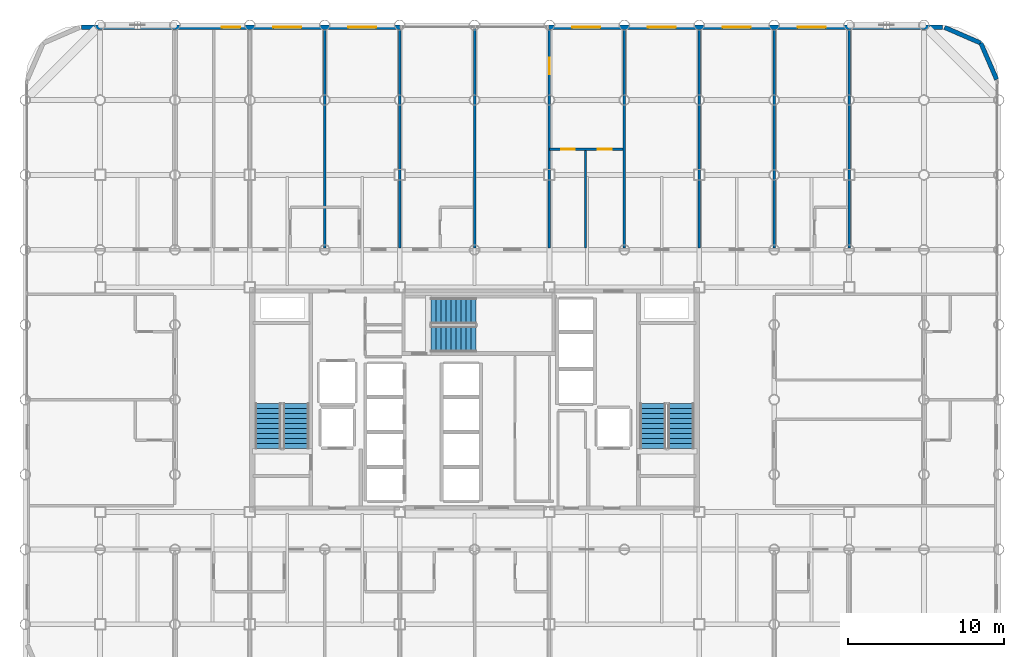
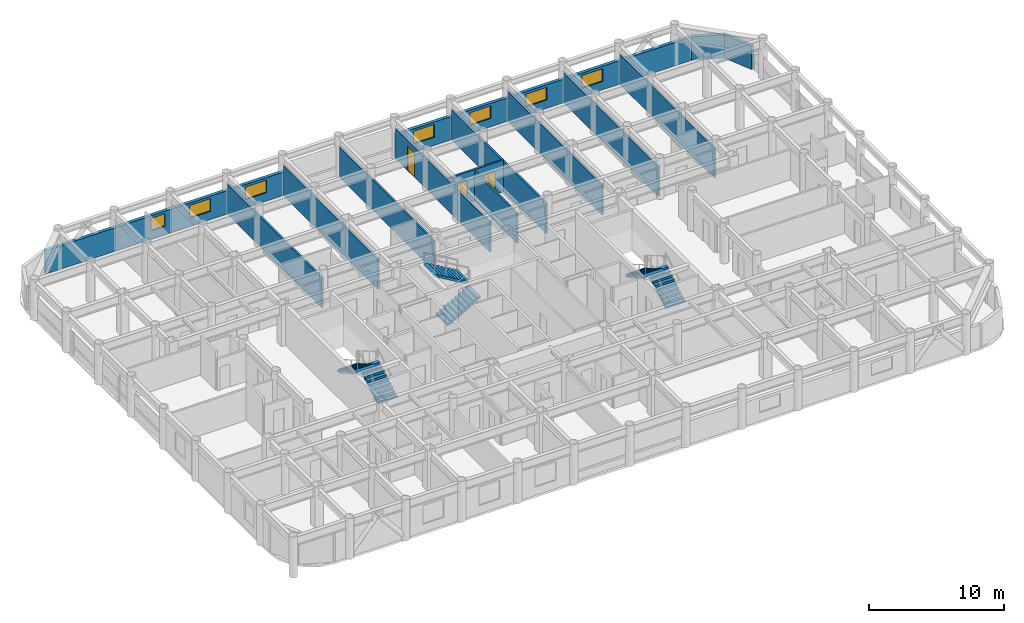
# One storey, part 21 of 22: 14 walls, 7 windows, 6 stair flights, 3 doors, 10 openings, 3 elements without a shape of their own.
"""IFC4 building model written with IfcOpenShell, lengths in metres."""

from ifc_helpers import new_model, si_unit, direction, frame, frame_2d, origin, place, context, subcontext, project, spatial, polyline, rectangle, outline, extrude, material, layer, layer_set, type_object, element, fill, aggregate, save


model = new_model("IFC4")

# Units and contexts
model_context = context("Model", 3, precision=1e-05, world=origin(), true_north=direction((0.0, 1.0)))
body_context = subcontext(model_context, "Body", "Model", "MODEL_VIEW")
ifc_project = project(units=[si_unit("LENGTHUNIT", "METRE"), si_unit("AREAUNIT", "SQUARE_METRE"), si_unit("VOLUMEUNIT", "CUBIC_METRE"), si_unit("PLANEANGLEUNIT", "RADIAN"), si_unit("MASSUNIT", "GRAM", prefix="KILO")], contexts=[model_context])

# Site, building, storey
site_placement = place(None, origin())
site = spatial("IfcSite", under=ifc_project, at=site_placement, CompositionType="ELEMENT")
building_placement = place(site_placement, origin())
building = spatial("IfcBuilding", under=site, at=building_placement, Name="Kallvorn Hotel Tower", CompositionType="ELEMENT")
storey_placement = place(building_placement, frame((0.0, 0.0, 110.0)))
storey = spatial("IfcBuildingStorey", under=building, at=storey_placement, Name="L26", CompositionType="ELEMENT", Elevation=110.0)

# Wall, openings, doors
ifc_material_1 = material(Name="Fire-rated double-layer acoustic gypsum drywall EI 60")
ifc_layer_1 = layer(ifc_material_1, 0.159912109375)
ifc_layer_set_1 = layer_set([ifc_layer_1], Name="WL_DEMISE_160")
wall_type_1 = type_object("IfcWallType", Name="WL_DEMISE_160", PredefinedType="PARTITIONING", material=ifc_layer_set_1)
wall_1_placement = place(storey_placement, frame((4.800048828125, 16.050048828125, 0.0), z_axis=(0.0, 0.0, 1.0), x_axis=(1.0, 0.0, 0.0)))
wall_1 = element("IfcWall", 1, at=wall_1_placement, inside=storey, type_object=wall_type_1, Name="L26 Suite 2614 Junior Bedroom Partition", PredefinedType="PARTITIONING", context=body_context, shape_type="SweptSolid", body=[
    extrude(rectangle(XDim=4.719970703125, YDim=0.159912109375, at=frame_2d((2.35986328125, 0.0))), origin(), (0.0, 0.0, 1.0), 2.8701171875),
])
opening_1_placement = place(wall_1_placement, frame((0.75, 0.0, 0.0)))
opening_1 = element("IfcOpeningElement", 2, at=opening_1_placement, cuts=wall_1, Name="Opening BD-I", PredefinedType="OPENING", context=body_context, shape_type="SweptSolid", body=[
    extrude(rectangle(XDim=0.860107421875, YDim=2.10009765625, at=frame_2d((0.43017578125, 1.050048828125))), frame((0.0, 0.094970703125, 0.0), z_axis=(0.0, -1.0, 0.0), x_axis=(1.0, 0.0, 0.0)), (0.0, 0.0, 1.0), 0.18994140625),
])
opening_2_placement = place(wall_1_placement, frame((3.090087890625, 0.0, 0.0)))
opening_2 = element("IfcOpeningElement", 3, at=opening_2_placement, cuts=wall_1, Name="Opening SVD1", PredefinedType="OPENING", context=body_context, shape_type="SweptSolid", body=[
    extrude(rectangle(XDim=0.89990234375, YDim=2.10009765625, at=frame_2d((0.449951171875, 1.050048828125))), frame((0.0, 0.094970703125, 0.0), z_axis=(0.0, -1.0, 0.0), x_axis=(1.0, 0.0, 0.0)), (0.0, 0.0, 1.0), 0.18994140625),
])
ifc_material_2 = material(Name="Solid-core walnut veneer fire-rated timber door leaf", Category="wood")
door_type_1 = type_object("IfcDoorType", Name="DR_BATH_860x2100", OperationType="NOTDEFINED", PredefinedType="DOOR", material=ifc_material_2)
door_1_placement = place(opening_1_placement, origin())
door_1 = element("IfcDoor", 4, at=door_1_placement, inside=storey, type_object=door_type_1, Name="L26 Suite 2614 En-Suite Bathroom Door", OperationType="SINGLE_SWING_RIGHT", OverallHeight=2.10009765625, OverallWidth=0.860107421875, PredefinedType="DOOR", context=body_context, shape_type="SweptSolid", body=[
    extrude(rectangle(XDim=0.860107421875, YDim=2.10009765625, at=frame_2d((0.43017578125, 1.050048828125))), frame((0.0, 0.02490234375, 0.0), z_axis=(0.0, -1.0, 0.0), x_axis=(1.0, 0.0, 0.0)), (0.0, 0.0, 1.0), 0.050048828125),
])
fill(opening_1, door_1)
ifc_material_3 = material(Name="Galvanised painted steel fire-rated door assembly", Category="steel")
door_type_2 = type_object("IfcDoorType", Name="DR_SERV_900x2100", OperationType="NOTDEFINED", PredefinedType="DOOR", material=ifc_material_3)
door_2_placement = place(opening_2_placement, origin())
door_2 = element("IfcDoor", 5, at=door_2_placement, inside=storey, type_object=door_type_2, Name="L26 Suite 2614 Walk-In Dressing Closet Door", OperationType="SINGLE_SWING_LEFT", OverallHeight=2.10009765625, OverallWidth=0.89990234375, PredefinedType="DOOR", context=body_context, shape_type="SweptSolid", body=[
    extrude(rectangle(XDim=0.89990234375, YDim=2.10009765625, at=frame_2d((0.449951171875, 1.050048828125))), frame((0.0, 0.02490234375, 0.0), z_axis=(0.0, -1.0, 0.0), x_axis=(1.0, 0.0, 0.0)), (0.0, 0.0, 1.0), 0.050048828125),
])
fill(opening_2, door_2)

# Walls
for number, where, z_axis, x_axis, name in (
    (6, (-9.60009765625, 9.719970703125, 0.0), (0.0, 0.0, 1.0), (0.0, 1.0, 0.0), "L26 Suite 2611 Standard Twin Room Partition"),
    (7, (-4.800048828125, 9.719970703125, 0.0), (0.0, 0.0, 1.0), (0.0, 1.0, 0.0), "L26 Suite 2612 Standard Twin Room Partition"),
):
    element("IfcWall", number, at=place(storey_placement, frame(where, z_axis=z_axis, x_axis=x_axis)), inside=storey, type_object=wall_type_1, Name=name, PredefinedType="PARTITIONING", context=body_context, shape_type="SweptSolid", body=[
        extrude(rectangle(XDim=13.989990234375, YDim=0.159912109375, at=frame_2d((6.9951171875, 0.0))), origin(), (0.0, 0.0, 1.0), 2.719970703125),
    ])
wall_2_placement = place(storey_placement, frame((0.0, 9.719970703125, 0.0), z_axis=(0.0, 0.0, 1.0), x_axis=(0.0, 1.0, 0.0)))
element("IfcWall", 8, at=wall_2_placement, inside=storey, type_object=wall_type_1, Name="L26 Suite 2614 Junior Living Salon Partition", PredefinedType="PARTITIONING", context=body_context, shape_type="SweptSolid", body=[
    extrude(rectangle(XDim=14.074951171875, YDim=0.159912109375, at=frame_2d((7.03759765625, 0.0))), origin(), (0.0, 0.0, 1.0), 2.719970703125),
])

# Wall, opening, door
wall_3_placement = place(storey_placement, frame((4.800048828125, 9.719970703125, 0.0), z_axis=(0.0, 0.0, 1.0), x_axis=(0.0, 1.0, 0.0)))
wall_3 = element("IfcWall", 9, at=wall_3_placement, inside=storey, type_object=wall_type_1, Name="L26 Suite 2614 Junior Living Salon Partition", PredefinedType="PARTITIONING", context=body_context, shape_type="SweptSolid", body=[
    extrude(rectangle(XDim=13.989990234375, YDim=0.159912109375, at=frame_2d((6.9951171875, 0.0))), origin(), (0.0, 0.0, 1.0), 2.719970703125),
])
opening_3_placement = place(wall_3_placement, frame((11.136962890625, 0.0, 0.0)))
opening_3 = element("IfcOpeningElement", 10, at=opening_3_placement, cuts=wall_3, Name="Opening GD2", PredefinedType="OPENING", context=body_context, shape_type="SweptSolid", body=[
    extrude(rectangle(XDim=1.050048828125, YDim=2.199951171875, at=frame_2d((0.52490234375, 1.10009765625))), frame((0.0, 0.094970703125, 0.0), z_axis=(0.0, -1.0, 0.0), x_axis=(1.0, 0.0, 0.0)), (0.0, 0.0, 1.0), 0.18994140625),
])
ifc_material_4 = material(Name="Solid-core walnut veneer fire-rated timber door leaf", Category="wood")
door_type_3 = type_object("IfcDoorType", Name="DR_SUITE_1050x2200", OperationType="NOTDEFINED", PredefinedType="DOOR", material=ifc_material_4)
door_3_placement = place(opening_3_placement, origin())
door_3 = element("IfcDoor", 11, at=door_3_placement, inside=storey, type_object=door_type_3, Name="L26 Suite 2614 Junior Bedroom Door", OperationType="SINGLE_SWING_RIGHT", OverallHeight=2.199951171875, OverallWidth=1.050048828125, PredefinedType="DOOR", context=body_context, shape_type="SweptSolid", body=[
    extrude(rectangle(XDim=1.050048828125, YDim=2.199951171875, at=frame_2d((0.52490234375, 1.10009765625))), frame((0.0, 0.02490234375, 0.0), z_axis=(0.0, -1.0, 0.0), x_axis=(1.0, 0.0, 0.0)), (0.0, 0.0, 1.0), 0.050048828125),
])
fill(opening_3, door_3)

# Walls
for number, where, z_axis, x_axis, name in (
    (12, (9.60009765625, 9.719970703125, 0.0), (0.0, 0.0, 1.0), (0.0, 1.0, 0.0), "L26 Suite 2614 Junior Bedroom Partition"),
    (13, (19.199951171875, 9.719970703125, 0.0), (0.0, 0.0, 1.0), (0.0, 1.0, 0.0), "L26 Suite 2615 Standard Twin Room Partition"),
    (14, (24.0, 9.719970703125, 0.0), (0.0, 0.0, 1.0), (0.0, 1.0, 0.0), "L26 Suite 2615 Standard Twin Room Partition"),
):
    element("IfcWall", number, at=place(storey_placement, frame(where, z_axis=z_axis, x_axis=x_axis)), inside=storey, type_object=wall_type_1, Name=name, PredefinedType="PARTITIONING", context=body_context, shape_type="SweptSolid", body=[
        extrude(rectangle(XDim=13.989990234375, YDim=0.159912109375, at=frame_2d((6.9951171875, 0.0))), origin(), (0.0, 0.0, 1.0), 2.719970703125),
    ])
ifc_material_5 = material(Name="Precast basalt-clad insulated concrete wall C40/50", Category="masonry")
ifc_layer_2 = layer(ifc_material_5, 0.280029296875)
ifc_layer_set_2 = layer_set([ifc_layer_2], Name="WL_EXT_LOGGIA_280")
wall_type_2 = type_object("IfcWallType", Name="WL_EXT_LOGGIA_280", PredefinedType="SOLIDWALL", material=ifc_layer_set_2)
wall_4_placement = place(storey_placement, frame((33.4580078125, 20.520751953125, 0.0), z_axis=(0.0, 0.0, 1.0), x_axis=(-0.398792985289, 0.917040977756, 0.0)))
element("IfcWall", 15, at=wall_4_placement, inside=storey, type_object=wall_type_2, Name="L26 Rounded Corner Exterior Wall NE1", PredefinedType="SOLIDWALL", context=body_context, shape_type="SweptSolid", body=[
    extrude(rectangle(XDim=2.536376953125, YDim=0.280029296875, at=frame_2d((1.26806640625, 0.0))), origin(), (0.0, 0.0, 1.0), 2.1201171875),
])
wall_5_placement = place(storey_placement, frame((32.446533203125, 22.8466796875, 0.0), z_axis=(0.0, 0.0, 1.0), x_axis=(-0.917060872934, 0.398747232384, 0.0)))
element("IfcWall", 16, at=wall_5_placement, inside=storey, type_object=wall_type_2, Name="L26 Rounded Corner Exterior Wall NE2", PredefinedType="SOLIDWALL", context=body_context, shape_type="SweptSolid", body=[
    extrude(rectangle(XDim=2.5361328125, YDim=0.280029296875, at=frame_2d((1.26806640625, 0.0))), origin(), (0.0, 0.0, 1.0), 2.1201171875),
])

# Wall, openings, windows
wall_6_placement = place(storey_placement, frame((-25.199951171875, 23.860107421875, 0.0), z_axis=(0.0, 0.0, 1.0), x_axis=(1.0, 0.0, 0.0)))
wall_6 = element("IfcWall", 17, at=wall_6_placement, inside=storey, type_object=wall_type_2, Name="L26 Exterior Envelope Wall EW-L26-NW", PredefinedType="SOLIDWALL", context=body_context, shape_type="SweptSolid", body=[
    extrude(rectangle(XDim=20.449951171875, YDim=0.280029296875, at=frame_2d((10.22509765625, 0.0))), origin(), (0.0, 0.0, 1.0), 2.1201171875),
])
opening_4_placement = place(wall_6_placement, frame((9.0, 0.0, 0.75)))
opening_4 = element("IfcOpeningElement", 18, at=opening_4_placement, cuts=wall_6, Name="Opening W06A", PredefinedType="OPENING", context=body_context, shape_type="SweptSolid", body=[
    extrude(rectangle(XDim=1.199951171875, YDim=1.14990234375, at=frame_2d((0.60009765625, 0.574951171875))), frame((0.0, 0.155029296875, 0.0), z_axis=(0.0, -1.0, 0.0), x_axis=(1.0, 0.0, 0.0)), (0.0, 0.0, 1.0), 0.31005859375),
])
opening_5_placement = place(wall_6_placement, frame((12.300048828125, 0.0, 0.75)))
opening_5 = element("IfcOpeningElement", 19, at=opening_5_placement, cuts=wall_6, Name="Opening W04A", PredefinedType="OPENING", context=body_context, shape_type="SweptSolid", body=[
    extrude(rectangle(XDim=1.800048828125, YDim=1.14990234375, at=frame_2d((0.89990234375, 0.574951171875))), frame((0.0, 0.155029296875, 0.0), z_axis=(0.0, -1.0, 0.0), x_axis=(1.0, 0.0, 0.0)), (0.0, 0.0, 1.0), 0.31005859375),
])
opening_6_placement = place(wall_6_placement, frame((17.10009765625, 0.0, 0.75)))
opening_6 = element("IfcOpeningElement", 20, at=opening_6_placement, cuts=wall_6, Name="Opening W04A", PredefinedType="OPENING", context=body_context, shape_type="SweptSolid", body=[
    extrude(rectangle(XDim=1.800048828125, YDim=1.14990234375, at=frame_2d((0.89990234375, 0.574951171875))), frame((0.0, 0.155029296875, 0.0), z_axis=(0.0, -1.0, 0.0), x_axis=(1.0, 0.0, 0.0)), (0.0, 0.0, 1.0), 0.31005859375),
])
ifc_material_6 = material(Name="Triple-glazed low-e acoustic solar-control dark glass", Category="glass")
window_type_1 = type_object("IfcWindowType", Name="WN_HTL_1200x1150", PartitioningType="SINGLE_PANEL", PredefinedType="WINDOW", material=ifc_material_6)
window_1_placement = place(opening_4_placement, origin())
window_1 = element("IfcWindow", 21, at=window_1_placement, inside=storey, type_object=window_type_1, Name="L26 Guestroom Exterior Window 10", OverallHeight=1.14990234375, OverallWidth=1.199951171875, PartitioningType="SINGLE_PANEL", PredefinedType="WINDOW", context=body_context, shape_type="SweptSolid", body=[
    extrude(rectangle(XDim=1.199951171875, YDim=1.14990234375, at=frame_2d((0.60009765625, 0.574951171875))), frame((0.0, 0.030029296875, 0.0), z_axis=(0.0, -1.0, 0.0), x_axis=(1.0, 0.0, 0.0)), (0.0, 0.0, 1.0), 0.06005859375),
])
fill(opening_4, window_1)
ifc_material_7 = material(Name="Double-glazed low-e solar-control dark glass", Category="glass")
window_type_2 = type_object("IfcWindowType", Name="WN_HTL_1800x1150", PartitioningType="SINGLE_PANEL", PredefinedType="WINDOW", material=ifc_material_7)
window_2_placement = place(opening_5_placement, origin())
window_2 = element("IfcWindow", 22, at=window_2_placement, inside=storey, type_object=window_type_2, Name="L26 Guestroom Exterior Window 11", OverallHeight=1.14990234375, OverallWidth=1.800048828125, PartitioningType="SINGLE_PANEL", PredefinedType="WINDOW", context=body_context, shape_type="SweptSolid", body=[
    extrude(rectangle(XDim=1.800048828125, YDim=1.14990234375, at=frame_2d((0.89990234375, 0.574951171875))), frame((0.0, 0.030029296875, 0.0), z_axis=(0.0, -1.0, 0.0), x_axis=(1.0, 0.0, 0.0)), (0.0, 0.0, 1.0), 0.06005859375),
])
fill(opening_5, window_2)
window_3_placement = place(opening_6_placement, origin())
window_3 = element("IfcWindow", 23, at=window_3_placement, inside=storey, type_object=window_type_2, Name="L26 Guestroom Exterior Window 12", OverallHeight=1.14990234375, OverallWidth=1.800048828125, PartitioningType="SINGLE_PANEL", PredefinedType="WINDOW", context=body_context, shape_type="SweptSolid", body=[
    extrude(rectangle(XDim=1.800048828125, YDim=1.14990234375, at=frame_2d((0.89990234375, 0.574951171875))), frame((0.0, 0.030029296875, 0.0), z_axis=(0.0, -1.0, 0.0), x_axis=(1.0, 0.0, 0.0)), (0.0, 0.0, 1.0), 0.06005859375),
])
fill(opening_6, window_3)

wall_7_placement = place(storey_placement, frame((4.75, 23.860107421875, 0.0), z_axis=(0.0, 0.0, 1.0), x_axis=(1.0, 0.0, 0.0)))
wall_7 = element("IfcWall", 24, at=wall_7_placement, inside=storey, type_object=wall_type_2, Name="L26 Exterior Envelope Wall EW-L26-NE", PredefinedType="SOLIDWALL", context=body_context, shape_type="SweptSolid", body=[
    extrude(rectangle(XDim=25.25, YDim=0.280029296875, at=frame_2d((12.625, 0.0))), origin(), (0.0, 0.0, 1.0), 2.1201171875),
])
opening_7_placement = place(wall_7_placement, frame((1.510009765625, 0.0, 0.75)))
opening_7 = element("IfcOpeningElement", 25, at=opening_7_placement, cuts=wall_7, Name="Opening W04A", PredefinedType="OPENING", context=body_context, shape_type="SweptSolid", body=[
    extrude(rectangle(XDim=1.800048828125, YDim=1.14990234375, at=frame_2d((0.89990234375, 0.574951171875))), frame((0.0, 0.155029296875, 0.0), z_axis=(0.0, -1.0, 0.0), x_axis=(1.0, 0.0, 0.0)), (0.0, 0.0, 1.0), 0.31005859375),
])
opening_8_placement = place(wall_7_placement, frame((6.35009765625, 0.0, 0.75)))
opening_8 = element("IfcOpeningElement", 26, at=opening_8_placement, cuts=wall_7, Name="Opening W04A", PredefinedType="OPENING", context=body_context, shape_type="SweptSolid", body=[
    extrude(rectangle(XDim=1.800048828125, YDim=1.14990234375, at=frame_2d((0.89990234375, 0.574951171875))), frame((0.0, 0.155029296875, 0.0), z_axis=(0.0, -1.0, 0.0), x_axis=(1.0, 0.0, 0.0)), (0.0, 0.0, 1.0), 0.31005859375),
])
opening_9_placement = place(wall_7_placement, frame((11.14990234375, 0.0, 0.75)))
opening_9 = element("IfcOpeningElement", 27, at=opening_9_placement, cuts=wall_7, Name="Opening W04A", PredefinedType="OPENING", context=body_context, shape_type="SweptSolid", body=[
    extrude(rectangle(XDim=1.800048828125, YDim=1.14990234375, at=frame_2d((0.89990234375, 0.574951171875))), frame((0.0, 0.155029296875, 0.0), z_axis=(0.0, -1.0, 0.0), x_axis=(1.0, 0.0, 0.0)), (0.0, 0.0, 1.0), 0.31005859375),
])
opening_10_placement = place(wall_7_placement, frame((15.949951171875, 0.0, 0.75)))
opening_10 = element("IfcOpeningElement", 28, at=opening_10_placement, cuts=wall_7, Name="Opening W04A", PredefinedType="OPENING", context=body_context, shape_type="SweptSolid", body=[
    extrude(rectangle(XDim=1.800048828125, YDim=1.14990234375, at=frame_2d((0.89990234375, 0.574951171875))), frame((0.0, 0.155029296875, 0.0), z_axis=(0.0, -1.0, 0.0), x_axis=(1.0, 0.0, 0.0)), (0.0, 0.0, 1.0), 0.31005859375),
])
window_4_placement = place(opening_7_placement, origin())
window_4 = element("IfcWindow", 29, at=window_4_placement, inside=storey, type_object=window_type_2, Name="L26 Guestroom Exterior Window 13", OverallHeight=1.14990234375, OverallWidth=1.800048828125, PartitioningType="SINGLE_PANEL", PredefinedType="WINDOW", context=body_context, shape_type="SweptSolid", body=[
    extrude(rectangle(XDim=1.800048828125, YDim=1.14990234375, at=frame_2d((0.89990234375, 0.574951171875))), frame((0.0, 0.030029296875, 0.0), z_axis=(0.0, -1.0, 0.0), x_axis=(1.0, 0.0, 0.0)), (0.0, 0.0, 1.0), 0.06005859375),
])
fill(opening_7, window_4)
window_5_placement = place(opening_8_placement, origin())
window_5 = element("IfcWindow", 30, at=window_5_placement, inside=storey, type_object=window_type_2, Name="L26 Guestroom Exterior Window 14", OverallHeight=1.14990234375, OverallWidth=1.800048828125, PartitioningType="SINGLE_PANEL", PredefinedType="WINDOW", context=body_context, shape_type="SweptSolid", body=[
    extrude(rectangle(XDim=1.800048828125, YDim=1.14990234375, at=frame_2d((0.89990234375, 0.574951171875))), frame((0.0, 0.030029296875, 0.0), z_axis=(0.0, -1.0, 0.0), x_axis=(1.0, 0.0, 0.0)), (0.0, 0.0, 1.0), 0.06005859375),
])
fill(opening_8, window_5)
window_6_placement = place(opening_9_placement, origin())
window_6 = element("IfcWindow", 31, at=window_6_placement, inside=storey, type_object=window_type_2, Name="L26 Guestroom Exterior Window 15", OverallHeight=1.14990234375, OverallWidth=1.800048828125, PartitioningType="SINGLE_PANEL", PredefinedType="WINDOW", context=body_context, shape_type="SweptSolid", body=[
    extrude(rectangle(XDim=1.800048828125, YDim=1.14990234375, at=frame_2d((0.89990234375, 0.574951171875))), frame((0.0, 0.030029296875, 0.0), z_axis=(0.0, -1.0, 0.0), x_axis=(1.0, 0.0, 0.0)), (0.0, 0.0, 1.0), 0.06005859375),
])
fill(opening_9, window_6)
window_7_placement = place(opening_10_placement, origin())
window_7 = element("IfcWindow", 32, at=window_7_placement, inside=storey, type_object=window_type_2, Name="L26 Guestroom Exterior Window 16", OverallHeight=1.14990234375, OverallWidth=1.800048828125, PartitioningType="SINGLE_PANEL", PredefinedType="WINDOW", context=body_context, shape_type="SweptSolid", body=[
    extrude(rectangle(XDim=1.800048828125, YDim=1.14990234375, at=frame_2d((0.89990234375, 0.574951171875))), frame((0.0, 0.030029296875, 0.0), z_axis=(0.0, -1.0, 0.0), x_axis=(1.0, 0.0, 0.0)), (0.0, 0.0, 1.0), 0.06005859375),
])
fill(opening_10, window_7)

# Walls
ifc_material_8 = material(Name="Fire-rated double-layer acoustic gypsum drywall EI 60")
ifc_layer_3 = layer(ifc_material_8, 0.14990234375)
ifc_layer_set_3 = layer_set([ifc_layer_3], Name="WL_PART_150")
wall_type_3 = type_object("IfcWallType", Name="WL_PART_150", PredefinedType="PARTITIONING", material=ifc_layer_set_3)
wall_8_placement = place(storey_placement, frame((7.106689453125, 9.719970703125, 0.0), z_axis=(0.0, 0.0, 1.0), x_axis=(0.0, 1.0, 0.0)))
element("IfcWall", 33, at=wall_8_placement, inside=storey, type_object=wall_type_3, Name="L26 Suite 2614 Walk-In Dressing Closet Partition", PredefinedType="PARTITIONING", context=body_context, shape_type="SweptSolid", body=[
    extrude(rectangle(XDim=6.2451171875, YDim=0.14990234375, at=frame_2d((3.12255859375, 0.0))), origin(), (0.0, 0.0, 1.0), 2.719970703125),
])
wall_9_placement = place(storey_placement, frame((14.39990234375, 9.719970703125, 0.0), z_axis=(0.0, 0.0, 1.0), x_axis=(0.0, 1.0, 0.0)))
element("IfcWall", 34, at=wall_9_placement, inside=storey, type_object=wall_type_3, Name="L26 L26 Diplomatic Summit Conference Boardroom 6-1 Partition", PredefinedType="PARTITIONING", context=body_context, shape_type="SweptSolid", body=[
    extrude(rectangle(XDim=13.989990234375, YDim=0.14990234375, at=frame_2d((6.9951171875, 0.0))), origin(), (0.0, 0.0, 1.0), 2.719970703125),
])

# Stair, stair flights
ifc_material_9 = material(Name="Precast concrete C40/50", Category="concrete")
stair_type = type_object("IfcStairType", Name="STR_CORE_DOGLEG", PredefinedType="HALF_TURN_STAIR", material=ifc_material_9)
stair_1_placement = place(storey_placement, origin())
stair_1 = element("IfcStair", 35, at=stair_1_placement, inside=storey, type_object=stair_type, Name="L26 Exit stair ST1", PredefinedType="HALF_TURN_STAIR")
ifc_material_10 = material(Name="Precast concrete C40/50", Category="concrete")
stair_flight_type = type_object("IfcStairFlightType", Name="FLT_CORE_1660", PredefinedType="STRAIGHT", material=ifc_material_10)
stair_flight_1_placement = place(storey_placement, frame((-11.429931640625, -3.139892578125, 0.0), z_axis=(0.0, 0.0, 1.0), x_axis=(0.0, 1.0, 0.0)))
stair_flight_1 = element("IfcStairFlight", 36, at=stair_flight_1_placement, type_object=stair_flight_type, Name="ST1 flight 1", NumberOfRisers=10, NumberOfTreads=9, PredefinedType="STRAIGHT", RiserHeight=0.185, TreadLength=0.32, context=body_context, shape_type="SweptSolid", body=[
    extrude(outline(polyline([(0.0, 0.0), (0.0, 0.18505859375), (0.320068359375, 0.18505859375), (0.320068359375, 0.3701171875), (0.639892578125, 0.3701171875), (0.639892578125, 0.554931640625), (0.9599609375, 0.554931640625), (0.9599609375, 0.739990234375), (1.280029296875, 0.739990234375), (1.280029296875, 0.925048828125), (1.60009765625, 0.925048828125), (1.60009765625, 1.110107421875), (1.919921875, 1.110107421875), (1.919921875, 1.294921875), (2.239990234375, 1.294921875), (2.239990234375, 1.47998046875), (2.56005859375, 1.47998046875), (2.56005859375, 1.6650390625), (2.8798828125, 1.6650390625), (2.8798828125, 1.85009765625), (2.8798828125, 1.491943359375), (0.299560546875, 0.0), (0.0, 0.0)])), frame((0.0, 0.830078125, 0.0), z_axis=(0.0, -1.0, 0.0), x_axis=(1.0, 0.0, 0.0)), (0.0, 0.0, 1.0), 1.659912109375),
])
stair_flight_2_placement = place(storey_placement, frame((-13.22998046875, -0.260009765625, 1.85009765625), z_axis=(0.0, 0.0, 1.0), x_axis=(0.0, -1.0, 0.0)))
stair_flight_2 = element("IfcStairFlight", 37, at=stair_flight_2_placement, type_object=stair_flight_type, Name="ST1 flight 2", NumberOfRisers=10, NumberOfTreads=9, PredefinedType="STRAIGHT", RiserHeight=0.185, TreadLength=0.32, context=body_context, shape_type="SweptSolid", body=[
    extrude(outline(polyline([(0.0, 0.0), (0.0, 0.18505859375), (0.320068359375, 0.18505859375), (0.320068359375, 0.3701171875), (0.639892578125, 0.3701171875), (0.639892578125, 0.554931640625), (0.9599609375, 0.554931640625), (0.9599609375, 0.739990234375), (1.280029296875, 0.739990234375), (1.280029296875, 0.925048828125), (1.60009765625, 0.925048828125), (1.60009765625, 1.110107421875), (1.919921875, 1.110107421875), (1.919921875, 1.294921875), (2.239990234375, 1.294921875), (2.239990234375, 1.47998046875), (2.56005859375, 1.47998046875), (2.56005859375, 1.6650390625), (2.8798828125, 1.6650390625), (2.8798828125, 1.85009765625), (2.8798828125, 1.491943359375), (0.299560546875, 0.0), (0.0, 0.0)])), frame((0.0, 0.830078125, 0.0), z_axis=(0.0, -1.0, 0.0), x_axis=(1.0, 0.0, 0.0)), (0.0, 0.0, 1.0), 1.659912109375),
])
aggregate(stair_1, [stair_flight_1, stair_flight_2])

stair_2_placement = place(storey_placement, origin())
stair_2 = element("IfcStair", 38, at=stair_2_placement, inside=storey, type_object=stair_type, Name="L26 Exit stair ST2", PredefinedType="HALF_TURN_STAIR")
stair_flight_3_placement = place(storey_placement, frame((13.22998046875, -3.139892578125, 0.0), z_axis=(0.0, 0.0, 1.0), x_axis=(0.0, 1.0, 0.0)))
stair_flight_3 = element("IfcStairFlight", 39, at=stair_flight_3_placement, type_object=stair_flight_type, Name="ST2 flight 1", NumberOfRisers=10, NumberOfTreads=9, PredefinedType="STRAIGHT", RiserHeight=0.185, TreadLength=0.32, context=body_context, shape_type="SweptSolid", body=[
    extrude(outline(polyline([(0.0, 0.0), (0.0, 0.18505859375), (0.320068359375, 0.18505859375), (0.320068359375, 0.3701171875), (0.639892578125, 0.3701171875), (0.639892578125, 0.554931640625), (0.9599609375, 0.554931640625), (0.9599609375, 0.739990234375), (1.280029296875, 0.739990234375), (1.280029296875, 0.925048828125), (1.60009765625, 0.925048828125), (1.60009765625, 1.110107421875), (1.919921875, 1.110107421875), (1.919921875, 1.294921875), (2.239990234375, 1.294921875), (2.239990234375, 1.47998046875), (2.56005859375, 1.47998046875), (2.56005859375, 1.6650390625), (2.8798828125, 1.6650390625), (2.8798828125, 1.85009765625), (2.8798828125, 1.491943359375), (0.299560546875, 0.0), (0.0, 0.0)])), frame((0.0, 0.830078125, 0.0), z_axis=(0.0, -1.0, 0.0), x_axis=(1.0, 0.0, 0.0)), (0.0, 0.0, 1.0), 1.659912109375),
])
stair_flight_4_placement = place(storey_placement, frame((11.429931640625, -0.260009765625, 1.85009765625), z_axis=(0.0, 0.0, 1.0), x_axis=(0.0, -1.0, 0.0)))
stair_flight_4 = element("IfcStairFlight", 40, at=stair_flight_4_placement, type_object=stair_flight_type, Name="ST2 flight 2", NumberOfRisers=10, NumberOfTreads=9, PredefinedType="STRAIGHT", RiserHeight=0.185, TreadLength=0.32, context=body_context, shape_type="SweptSolid", body=[
    extrude(outline(polyline([(0.0, 0.0), (0.0, 0.18505859375), (0.320068359375, 0.18505859375), (0.320068359375, 0.3701171875), (0.639892578125, 0.3701171875), (0.639892578125, 0.554931640625), (0.9599609375, 0.554931640625), (0.9599609375, 0.739990234375), (1.280029296875, 0.739990234375), (1.280029296875, 0.925048828125), (1.60009765625, 0.925048828125), (1.60009765625, 1.110107421875), (1.919921875, 1.110107421875), (1.919921875, 1.294921875), (2.239990234375, 1.294921875), (2.239990234375, 1.47998046875), (2.56005859375, 1.47998046875), (2.56005859375, 1.6650390625), (2.8798828125, 1.6650390625), (2.8798828125, 1.85009765625), (2.8798828125, 1.491943359375), (0.299560546875, 0.0), (0.0, 0.0)])), frame((0.0, 0.830078125, 0.0), z_axis=(0.0, -1.0, 0.0), x_axis=(1.0, 0.0, 0.0)), (0.0, 0.0, 1.0), 1.659912109375),
])
aggregate(stair_2, [stair_flight_3, stair_flight_4])

stair_3_placement = place(storey_placement, origin())
stair_3 = element("IfcStair", 41, at=stair_3_placement, inside=storey, type_object=stair_type, Name="L26 Exit stair ST3", PredefinedType="HALF_TURN_STAIR")
stair_flight_5_placement = place(storey_placement, frame((-2.7900390625, 3.8798828125, 0.0), z_axis=(0.0, 0.0, 1.0), x_axis=(1.0, 0.0, 0.0)))
stair_flight_5 = element("IfcStairFlight", 42, at=stair_flight_5_placement, type_object=stair_flight_type, Name="ST3 flight 1", NumberOfRisers=10, NumberOfTreads=9, PredefinedType="STRAIGHT", RiserHeight=0.185, TreadLength=0.32, context=body_context, shape_type="SweptSolid", body=[
    extrude(outline(polyline([(0.0, 0.0), (0.0, 0.18505859375), (0.320068359375, 0.18505859375), (0.320068359375, 0.3701171875), (0.639892578125, 0.3701171875), (0.639892578125, 0.554931640625), (0.9599609375, 0.554931640625), (0.9599609375, 0.739990234375), (1.280029296875, 0.739990234375), (1.280029296875, 0.925048828125), (1.60009765625, 0.925048828125), (1.60009765625, 1.110107421875), (1.919921875, 1.110107421875), (1.919921875, 1.294921875), (2.239990234375, 1.294921875), (2.239990234375, 1.47998046875), (2.56005859375, 1.47998046875), (2.56005859375, 1.6650390625), (2.8798828125, 1.6650390625), (2.8798828125, 1.85009765625), (2.8798828125, 1.491943359375), (0.299560546875, 0.0), (0.0, 0.0)])), frame((0.0, 0.830078125, 0.0), z_axis=(0.0, -1.0, 0.0), x_axis=(1.0, 0.0, 0.0)), (0.0, 0.0, 1.0), 1.659912109375),
])
stair_flight_6_placement = place(storey_placement, frame((0.090087890625, 5.679931640625, 1.85009765625), z_axis=(0.0, 0.0, 1.0), x_axis=(-1.0, 0.0, 0.0)))
stair_flight_6 = element("IfcStairFlight", 43, at=stair_flight_6_placement, type_object=stair_flight_type, Name="ST3 flight 2", NumberOfRisers=10, NumberOfTreads=9, PredefinedType="STRAIGHT", RiserHeight=0.185, TreadLength=0.32, context=body_context, shape_type="SweptSolid", body=[
    extrude(outline(polyline([(0.0, 0.0), (0.0, 0.18505859375), (0.320068359375, 0.18505859375), (0.320068359375, 0.3701171875), (0.639892578125, 0.3701171875), (0.639892578125, 0.554931640625), (0.9599609375, 0.554931640625), (0.9599609375, 0.739990234375), (1.280029296875, 0.739990234375), (1.280029296875, 0.925048828125), (1.60009765625, 0.925048828125), (1.60009765625, 1.110107421875), (1.919921875, 1.110107421875), (1.919921875, 1.294921875), (2.239990234375, 1.294921875), (2.239990234375, 1.47998046875), (2.56005859375, 1.47998046875), (2.56005859375, 1.6650390625), (2.8798828125, 1.6650390625), (2.8798828125, 1.85009765625), (2.8798828125, 1.491943359375), (0.299560546875, 0.0), (0.0, 0.0)])), frame((0.0, 0.830078125, 0.0), z_axis=(0.0, -1.0, 0.0), x_axis=(1.0, 0.0, 0.0)), (0.0, 0.0, 1.0), 1.659912109375),
])
aggregate(stair_3, [stair_flight_5, stair_flight_6])

save(model, "model.ifc")
